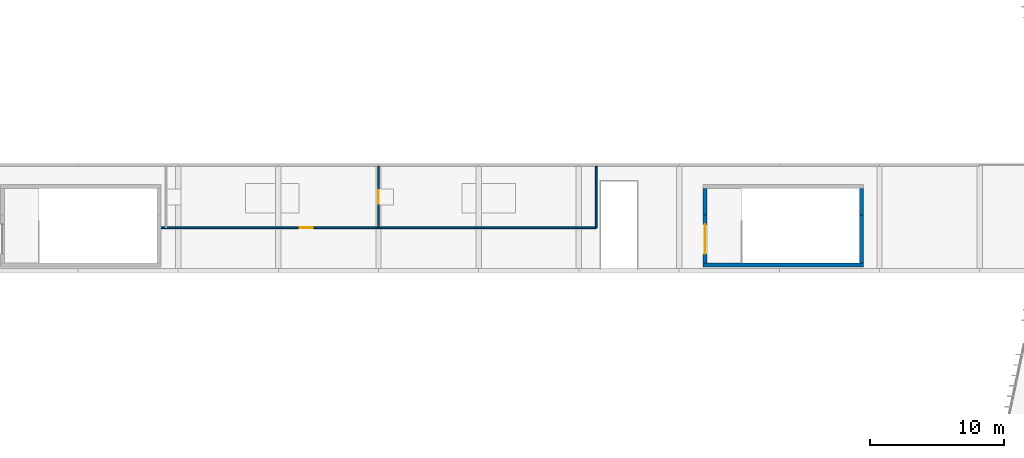
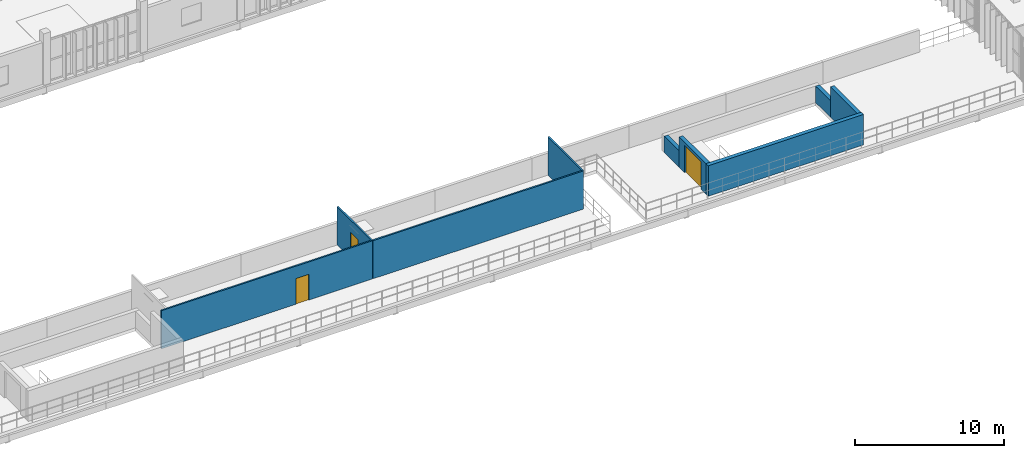
# One storey, part 41 of 61: 9 walls, 3 doors, 3 openings.
"""IFC4 building model written with IfcOpenShell, lengths in metres."""

import ifcopenshell
import ifcopenshell.guid

model = None  # the IFC model being written
_history = None  # IfcOwnerHistory: only IFC2X3 demands one
_inside = {}  # id of a spatial element -> (the spatial element, [elements in it])
_under = {}  # id of a project, library or spatial element -> (it, [spatial elements below it])
_declared = {}  # id of a project -> (the project, [libraries it declares])
_typed = {}  # id of a type object -> (the type object, [elements of that type])
_made_of = {}  # id of a material, layer set ... -> (it, [elements and type objects made of it])


def new_model(schema):
    """Start an empty IFC model of exactly this schema.

    Asked for "IFC4X3", IfcOpenShell would pick the latest addendum, in which some entities
    have other attributes; the version numbers below select the first issue.
    IFC2X3 requires an IfcOwnerHistory on every rooted entity: one is made here for all.
    """
    global model, _history
    if schema == "IFC4X3":
        model = ifcopenshell.file(schema_version=(4, 3, 0, 0))
    else:
        model = ifcopenshell.file(schema=schema)
    _inside.clear()
    _under.clear()
    _declared.clear()
    _typed.clear()
    _made_of.clear()
    _history = None
    if model.schema == "IFC2X3":
        org = make("IfcOrganization", Name="unknown")
        user = make(
            "IfcPersonAndOrganization",
            ThePerson=make("IfcPerson", FamilyName="unknown"),
            TheOrganization=org,
        )
        app = make(
            "IfcApplication",
            ApplicationDeveloper=org,
            Version="unknown",
            ApplicationFullName="unknown",
            ApplicationIdentifier="unknown",
        )
        _history = make(
            "IfcOwnerHistory",
            OwningUser=user,
            OwningApplication=app,
            ChangeAction="ADDED",
            CreationDate=0,
        )
    return model


def make(cls, **values):
    """One entity of the class cls with the attributes given. An attribute that is None is left unset."""
    return model.create_entity(
        cls, **{name: value for name, value in values.items() if value is not None}
    )


def rooted(cls, **values):
    """An entity with a GlobalId (a new one), such as an element, a storey or a relation."""
    return make(cls, GlobalId=ifcopenshell.guid.new(), OwnerHistory=_history, **values)


def si_unit(unit_type, name, prefix=None):
    """IfcSIUnit, for example si_unit("LENGTHUNIT", "METRE", prefix="MILLI")."""
    return make("IfcSIUnit", UnitType=unit_type, Prefix=prefix, Name=name)


def assignment(units):
    """IfcUnitAssignment: the units of a project."""
    return None if units is None else make("IfcUnitAssignment", Units=units)


def point(xyz):
    """IfcCartesianPoint."""
    return None if xyz is None else make("IfcCartesianPoint", Coordinates=xyz)


def direction(xyz):
    """IfcDirection."""
    return None if xyz is None else make("IfcDirection", DirectionRatios=xyz)


def frame(location, z_axis=None, x_axis=None):
    """IfcAxis2Placement3D, a coordinate frame: its origin and axes. An axis left out is left unset."""
    return make(
        "IfcAxis2Placement3D",
        Location=point(location),
        Axis=direction(z_axis),
        RefDirection=direction(x_axis),
    )


def frame_2d(location, x_axis=None):
    """IfcAxis2Placement2D, a coordinate frame in the plane: its origin and x axis."""
    return make(
        "IfcAxis2Placement2D", Location=point(location), RefDirection=direction(x_axis)
    )


def origin():
    """The frame at (0, 0, 0) with its axes left unset."""
    return frame((0.0, 0.0, 0.0))


def place(relative_to, where):
    """IfcLocalPlacement: puts the frame where relative to a parent placement (None: the world)."""
    return make(
        "IfcLocalPlacement", PlacementRelTo=relative_to, RelativePlacement=where
    )


def context(
    kind, dimensions, precision=None, world=None, true_north=None, identifier=None
):
    """IfcGeometricRepresentationContext, for example the 3D "Model" context."""
    return make(
        "IfcGeometricRepresentationContext",
        ContextIdentifier=identifier,
        ContextType=kind,
        CoordinateSpaceDimension=dimensions,
        Precision=precision,
        WorldCoordinateSystem=world,
        TrueNorth=true_north,
    )


def subcontext(parent, identifier, kind, view, scale=None):
    """IfcGeometricRepresentationSubContext, for example "Body" below "Model"."""
    return make(
        "IfcGeometricRepresentationSubContext",
        ContextIdentifier=identifier,
        ContextType=kind,
        ParentContext=parent,
        TargetScale=scale,
        TargetView=view,
    )


def project(units=None, contexts=None):
    """IfcProject with its units and contexts."""
    return rooted(
        "IfcProject",
        Name="project",
        RepresentationContexts=contexts,
        UnitsInContext=assignment(units),
    )


def spatial(cls, under=None, at=None, **own):
    """A site, building, storey or space (cls), placed at a placement, below another one or the project."""
    s = rooted(cls, ObjectPlacement=at, **own)
    if under is not None:
        _under.setdefault(under.id(), (under, []))[1].append(s)
    return s


def profile(cls, at=None, kind="AREA", **sizes):
    """A parametric profile (cls). Its sizes go by their IFC names, for example OverallWidth=200.0."""
    return make(cls, ProfileType=kind, Position=at, **sizes)


def rectangle(**sizes):
    """IfcRectangleProfileDef."""
    return profile("IfcRectangleProfileDef", **sizes)


def extrude(swept, where, along, depth):
    """IfcExtrudedAreaSolid: the profile swept, set in the frame where, extruded along a direction by depth."""
    return make(
        "IfcExtrudedAreaSolid",
        SweptArea=swept,
        Position=where,
        ExtrudedDirection=direction(along),
        Depth=depth,
    )


def shape(context_of_items, identifier, shape_type, items):
    """IfcShapeRepresentation: the items that make up one representation, for example the "Body"."""
    return make(
        "IfcShapeRepresentation",
        ContextOfItems=context_of_items,
        RepresentationIdentifier=identifier,
        RepresentationType=shape_type,
        Items=items,
    )


def material(Name=None, Category=None):
    """IfcMaterial."""
    return make("IfcMaterial", Name=Name, Category=Category)


def layer(
    of_material, thickness, ventilated=None, Name=None, Category=None, Priority=None
):
    """IfcMaterialLayer: one layer of a wall or slab, of a material (None: an air gap)."""
    return make(
        "IfcMaterialLayer",
        Material=of_material,
        LayerThickness=thickness,
        IsVentilated=ventilated,
        Name=Name,
        Category=Category,
        Priority=Priority,
    )


def layer_set(layers, Name=None):
    """IfcMaterialLayerSet."""
    return make("IfcMaterialLayerSet", MaterialLayers=layers, LayerSetName=Name)


def made_of(thing, what):
    """Note that an element or type object is made of a material, layer set ...; save() writes the relation."""
    if what is not None:
        _made_of.setdefault(what.id(), (what, []))[1].append(thing)
    return thing


def type_object(cls, material=None, **own):
    """A type object (cls), such as IfcWallType, which elements share."""
    return made_of(rooted(cls, **own), material)


def element(
    cls,
    number,
    at=None,
    inside=None,
    cuts=None,
    type_object=None,
    material=None,
    context=None,
    identifier="Body",
    shape_type=None,
    held_by="IfcProductDefinitionShape",
    body=None,
    shapes=None,
    **own,
):
    """One element of the class cls, such as IfcWall. Its Tag is "e" and its number.

    at: its placement. inside: the storey or other place that contains it. cuts: it is an
    opening in that element (IfcRelVoidsElement). A single representation is given by context,
    identifier, shape_type and body (its items); several are given by shapes. held_by: the class
    of the entity that holds the representations. save() writes the other relations.
    """
    e = rooted(cls, Tag="e%d" % number, ObjectPlacement=at, **own)
    if body is not None:
        shapes = [shape(context, identifier, shape_type, body)]
    if shapes is not None:
        e.Representation = make(held_by, Representations=shapes)
    if inside is not None:
        _inside.setdefault(inside.id(), (inside, []))[1].append(e)
    if cuts is not None:
        rooted(
            "IfcRelVoidsElement", RelatingBuildingElement=cuts, RelatedOpeningElement=e
        )
    if type_object is not None:
        _typed.setdefault(type_object.id(), (type_object, []))[1].append(e)
    return made_of(e, material)


def fill(opening, filler):
    """IfcRelFillsElement: the door or window that sits in an opening."""
    return rooted(
        "IfcRelFillsElement",
        RelatingOpeningElement=opening,
        RelatedBuildingElement=filler,
    )


def aggregate(whole, parts):
    """IfcRelAggregates: a whole, such as a stair, and the parts it consists of."""
    return rooted("IfcRelAggregates", RelatingObject=whole, RelatedObjects=parts)


def save(model, path):
    """Write the relations noted so far, then the file.

    IfcRelAggregates (storeys below a building ...), IfcRelContainedInSpatialStructure (elements
    in a storey), IfcRelDefinesByType, IfcRelAssociatesMaterial and IfcRelDeclares: one each for
    every whole, place, type object, material and project.
    """
    for whole, parts in _under.values():
        aggregate(whole, parts)
    for where, things in _inside.values():
        rooted(
            "IfcRelContainedInSpatialStructure",
            RelatedElements=things,
            RelatingStructure=where,
        )
    for kind, things in _typed.values():
        rooted("IfcRelDefinesByType", RelatedObjects=things, RelatingType=kind)
    for what, things in _made_of.values():
        rooted("IfcRelAssociatesMaterial", RelatedObjects=things, RelatingMaterial=what)
    for by, libraries in _declared.values():
        rooted("IfcRelDeclares", RelatingContext=by, RelatedDefinitions=libraries)
    model.write(path)


model = new_model("IFC4")

# Units and contexts
model_context = context("Model", 3, precision=1e-05, world=origin(), true_north=direction((0.0, 1.0)))
body_context = subcontext(model_context, "Body", "Model", "MODEL_VIEW")
ifc_project = project(units=[si_unit("LENGTHUNIT", "METRE"), si_unit("AREAUNIT", "SQUARE_METRE"), si_unit("VOLUMEUNIT", "CUBIC_METRE"), si_unit("PLANEANGLEUNIT", "RADIAN"), si_unit("MASSUNIT", "GRAM", prefix="KILO")], contexts=[model_context])

# Site, building, storey
site_placement = place(None, origin())
site = spatial("IfcSite", under=ifc_project, at=site_placement, CompositionType="ELEMENT")
building_placement = place(site_placement, origin())
building = spatial("IfcBuilding", under=site, at=building_placement, Name="Vourika Railside Aquatics Centre", CompositionType="ELEMENT")
storey_placement = place(building_placement, frame((0.0, 0.0, 9.300048828125)))
storey = spatial("IfcBuildingStorey", under=building, at=storey_placement, Name="L02", CompositionType="ELEMENT", Elevation=9.300048828125)

# Walls
ifc_material_1 = material(Name="Concrete C40/50", Category="concrete")
ifc_layer_1 = layer(ifc_material_1, 0.300048828125, Name="WL-CORE")
ifc_layer_set_1 = layer_set([ifc_layer_1], Name="Concrete C40/50")
wall_type_1 = type_object("IfcWallType", Name="WL-CORE", PredefinedType="SHEAR", material=ifc_layer_set_1)
wall_1_placement = place(storey_placement, frame((112.800048828125, 58.39990234375, 0.0), z_axis=(0.0, 0.0, 1.0), x_axis=(1.0, 0.0, 0.0)))
element("IfcWall", 1, at=wall_1_placement, inside=storey, type_object=wall_type_1, Name="Grandstand Vomitory Exit Stair ST10 South Wall (L02)", PredefinedType="SHEAR", context=body_context, shape_type="SweptSolid", body=[
    extrude(rectangle(XDim=12.0, YDim=0.300048828125, at=frame_2d((6.0, 0.0))), origin(), (0.0, 0.0, 1.0), 2.5),
])
wall_2_placement = place(storey_placement, frame((112.949951171875, 64.14990234375, 0.0), z_axis=(0.0, 0.0, 1.0), x_axis=(0.0, -1.0, 0.0)))
element("IfcWall", 2, at=wall_2_placement, inside=storey, type_object=wall_type_1, Name="Grandstand Vomitory Exit Stair ST10 West Low Wall (L02)", PredefinedType="SHEAR", context=body_context, shape_type="SweptSolid", body=[
    extrude(rectangle(XDim=2.0, YDim=0.300048828125, at=frame_2d((1.0, 0.0))), origin(), (0.0, 0.0, 1.0), 1.349853515625),
])

# Wall, opening, door
wall_3_placement = place(storey_placement, frame((112.949951171875, 62.14990234375, 0.0), z_axis=(0.0, 0.0, 1.0), x_axis=(0.0, -1.0, 0.0)))
wall_3 = element("IfcWall", 3, at=wall_3_placement, inside=storey, type_object=wall_type_1, Name="Grandstand Vomitory Exit Stair ST10 West Wall (L02)", PredefinedType="SHEAR", context=body_context, shape_type="SweptSolid", body=[
    extrude(rectangle(XDim=3.599853515625, YDim=0.300048828125, at=frame_2d((1.7998046875, 0.0))), origin(), (0.0, 0.0, 1.0), 2.5),
])
opening_1_placement = place(wall_3_placement, frame((0.699951171875, 0.0, 0.0)))
opening_1 = element("IfcOpeningElement", 4, at=opening_1_placement, cuts=wall_3, Name="Opening DF04", PredefinedType="OPENING", context=body_context, shape_type="SweptSolid", body=[
    extrude(rectangle(XDim=2.199951171875, YDim=2.25, at=frame_2d((1.10009765625, 1.125))), frame((0.0, 0.16015625, 0.0), z_axis=(0.0, -1.0, 0.0), x_axis=(1.0, 0.0, 0.0)), (0.0, 0.0, 1.0), 0.320068359375),
])
ifc_material_2 = material(Name="Fire-rated vomitory concourse double door")
door_type_1 = type_object("IfcDoorType", Name="DR-FD60D-220", OperationType="DOUBLE_DOOR_SINGLE_SWING", PredefinedType="DOOR", material=ifc_material_2)
door_1_placement = place(opening_1_placement, origin())
door_1 = element("IfcDoor", 5, at=door_1_placement, inside=storey, type_object=door_type_1, Name="Grandstand Vomitory Exit Stair ST10 Vomitory Portal Door (L02)", OperationType="DOUBLE_DOOR_SINGLE_SWING", OverallHeight=2.25, OverallWidth=2.199951171875, PredefinedType="DOOR", context=body_context, shape_type="SweptSolid", body=[
    extrude(rectangle(XDim=2.199951171875, YDim=2.25, at=frame_2d((1.10009765625, 1.125))), frame((0.0, 0.02490234375, 0.0), z_axis=(0.0, -1.0, 0.0), x_axis=(1.0, 0.0, 0.0)), (0.0, 0.0, 1.0), 0.050048828125),
])
fill(opening_1, door_1)

# Walls
wall_4_placement = place(storey_placement, frame((124.64990234375, 58.550048828125, 0.0), z_axis=(0.0, 0.0, 1.0), x_axis=(0.0, 1.0, 0.0)))
element("IfcWall", 6, at=wall_4_placement, inside=storey, type_object=wall_type_1, Name="Grandstand Vomitory Exit Stair ST10 East Wall (L02)", PredefinedType="SHEAR", context=body_context, shape_type="SweptSolid", body=[
    extrude(rectangle(XDim=3.599853515625, YDim=0.300048828125, at=frame_2d((1.7998046875, 0.0))), origin(), (0.0, 0.0, 1.0), 2.5),
])
wall_5_placement = place(storey_placement, frame((124.64990234375, 62.14990234375, 0.0), z_axis=(0.0, 0.0, 1.0), x_axis=(0.0, 1.0, 0.0)))
element("IfcWall", 7, at=wall_5_placement, inside=storey, type_object=wall_type_1, Name="Grandstand Vomitory Exit Stair ST10 East Low Wall (L02)", PredefinedType="SHEAR", context=body_context, shape_type="SweptSolid", body=[
    extrude(rectangle(XDim=2.0, YDim=0.300048828125, at=frame_2d((1.0, 0.0))), origin(), (0.0, 0.0, 1.0), 1.349853515625),
])

# Wall, opening, door
ifc_material_3 = material(Name="Lightweight drylining partition")
ifc_layer_2 = layer(ifc_material_3, 0.1201171875, Name="WL-PART-120")
ifc_layer_set_2 = layer_set([ifc_layer_2], Name="Lightweight drylining partition")
wall_type_2 = type_object("IfcWallType", Name="WL-PART-120", PredefinedType="PARTITIONING", material=ifc_layer_set_2)
wall_6_placement = place(storey_placement, frame((88.5, 61.199951171875, 0.0), z_axis=(0.0, 0.0, 1.0), x_axis=(-1.0, 0.0, 0.0)))
wall_6 = element("IfcWall", 8, at=wall_6_placement, inside=storey, type_object=wall_type_2, Name="Timing and Officials Box Partition 2", PredefinedType="PARTITIONING", context=body_context, shape_type="SweptSolid", body=[
    extrude(rectangle(XDim=16.320068359375, YDim=0.1201171875, at=frame_2d((8.16015625, 0.0))), origin(), (0.0, 0.0, 1.0), 3.119873046875),
])
opening_2_placement = place(wall_6_placement, frame((4.909912109375, 0.0, 0.0)))
opening_2 = element("IfcOpeningElement", 9, at=opening_2_placement, cuts=wall_6, Name="Opening DI01", PredefinedType="OPENING", context=body_context, shape_type="SweptSolid", body=[
    extrude(rectangle(XDim=1.0, YDim=2.10009765625, at=frame_2d((0.5, 1.050048828125))), frame((0.0, 0.070068359375, 0.0), z_axis=(0.0, -1.0, 0.0), x_axis=(1.0, 0.0, 0.0)), (0.0, 0.0, 1.0), 0.14013671875),
])
ifc_material_4 = material(Name="Anodized aluminium and laminate door", Category="aluminium")
door_type_2 = type_object("IfcDoorType", Name="DR-INT-1000", OperationType="NOTDEFINED", PredefinedType="DOOR", material=ifc_material_4)
door_2_placement = place(opening_2_placement, origin())
door_2 = element("IfcDoor", 10, at=door_2_placement, inside=storey, type_object=door_type_2, Name="Timing and Officials Box Door", OperationType="SINGLE_SWING_RIGHT", OverallHeight=2.10009765625, OverallWidth=1.0, PredefinedType="DOOR", context=body_context, shape_type="SweptSolid", body=[
    extrude(rectangle(XDim=1.0, YDim=2.10009765625, at=frame_2d((0.5, 1.050048828125))), frame((0.0, 0.02490234375, 0.0), z_axis=(0.0, -1.0, 0.0), x_axis=(1.0, 0.0, 0.0)), (0.0, 0.0, 1.0), 0.050048828125),
])
fill(opening_2, door_2)

wall_7_placement = place(storey_placement, frame((88.5, 65.784912109375, 0.0), z_axis=(0.0, 0.0, 1.0), x_axis=(0.0, -1.0, 0.0)))
wall_7 = element("IfcWall", 11, at=wall_7_placement, inside=storey, type_object=wall_type_2, Name="Timing and Officials Box Partition 3", PredefinedType="PARTITIONING", context=body_context, shape_type="SweptSolid", body=[
    extrude(rectangle(XDim=4.5849609375, YDim=0.1201171875, at=frame_2d((2.29248046875, 0.0))), origin(), (0.0, 0.0, 1.0), 3.119873046875),
])
opening_3_placement = place(wall_7_placement, frame((1.79248046875, 0.0, 0.0)))
opening_3 = element("IfcOpeningElement", 12, at=opening_3_placement, cuts=wall_7, Name="Opening DI01", PredefinedType="OPENING", context=body_context, shape_type="SweptSolid", body=[
    extrude(rectangle(XDim=1.0, YDim=2.10009765625, at=frame_2d((0.5, 1.050048828125))), frame((0.0, 0.070068359375, 0.0), z_axis=(0.0, -1.0, 0.0), x_axis=(1.0, 0.0, 0.0)), (0.0, 0.0, 1.0), 0.14013671875),
])
door_3_placement = place(opening_3_placement, origin())
door_3 = element("IfcDoor", 13, at=door_3_placement, inside=storey, type_object=door_type_2, Name="Broadcast Media Commentary Boxes Door", OperationType="SINGLE_SWING_LEFT", OverallHeight=2.10009765625, OverallWidth=1.0, PredefinedType="DOOR", context=body_context, shape_type="SweptSolid", body=[
    extrude(rectangle(XDim=1.0, YDim=2.10009765625, at=frame_2d((0.5, 1.050048828125))), frame((0.0, 0.02490234375, 0.0), z_axis=(0.0, -1.0, 0.0), x_axis=(1.0, 0.0, 0.0)), (0.0, 0.0, 1.0), 0.050048828125),
])
fill(opening_3, door_3)

# Walls
wall_8_placement = place(storey_placement, frame((104.800048828125, 65.784912109375, 0.0), z_axis=(0.0, 0.0, 1.0), x_axis=(0.0, -1.0, 0.0)))
element("IfcWall", 14, at=wall_8_placement, inside=storey, type_object=wall_type_2, Name="Broadcast Media Commentary Boxes Partition 2", PredefinedType="PARTITIONING", context=body_context, shape_type="SweptSolid", body=[
    extrude(rectangle(XDim=4.5849609375, YDim=0.1201171875, at=frame_2d((2.29248046875, 0.0))), origin(), (0.0, 0.0, 1.0), 3.119873046875),
])
wall_9_placement = place(storey_placement, frame((104.800048828125, 61.199951171875, 0.0), z_axis=(0.0, 0.0, 1.0), x_axis=(-1.0, 0.0, 0.0)))
element("IfcWall", 15, at=wall_9_placement, inside=storey, type_object=wall_type_2, Name="Broadcast Media Commentary Boxes Partition 3", PredefinedType="PARTITIONING", context=body_context, shape_type="SweptSolid", body=[
    extrude(rectangle(XDim=16.260009765625, YDim=0.1201171875, at=frame_2d((8.1298828125, 0.0))), origin(), (0.0, 0.0, 1.0), 3.119873046875),
])

save(model, "model.ifc")
